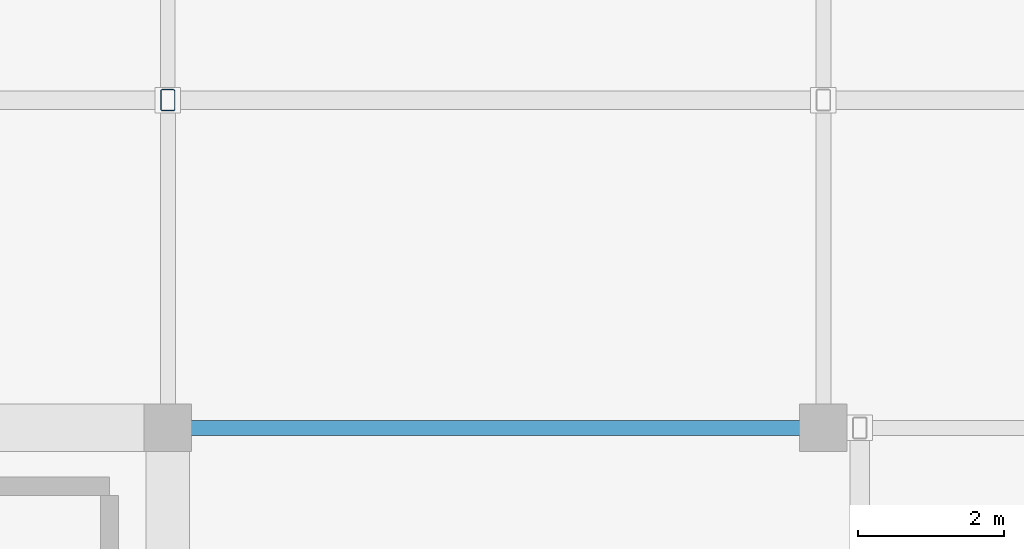
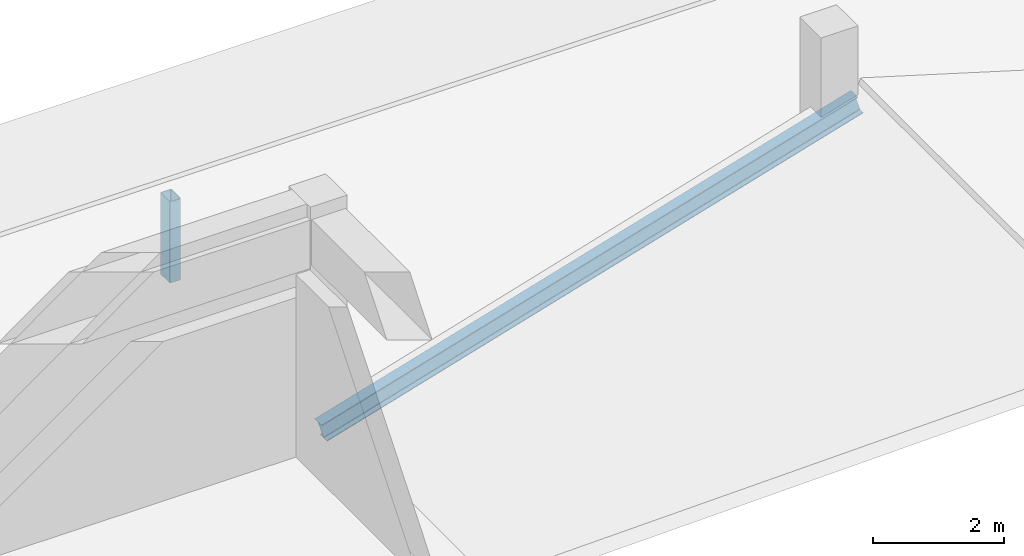
# One storey, part 55 of 80: 2 members.
"""IFC4 building model written with IfcOpenShell, lengths in metres."""

from ifc_helpers import new_model, si_unit, direction, frame, origin, origin_2d, place, context, subcontext, project, spatial, hollow_rectangle, i_section, extrude, material, material_profile, profile_set, type_object, element, save


model = new_model("IFC4")

# Units and contexts
model_context = context("Model", 3, precision=1e-05, world=origin(), true_north=direction((0.0, 1.0)))
body_context = subcontext(model_context, "Body", "Model", "MODEL_VIEW")
ifc_project = project(units=[si_unit("LENGTHUNIT", "METRE"), si_unit("AREAUNIT", "SQUARE_METRE"), si_unit("VOLUMEUNIT", "CUBIC_METRE"), si_unit("PLANEANGLEUNIT", "RADIAN"), si_unit("MASSUNIT", "GRAM", prefix="KILO")], contexts=[model_context])

# Site, building, storey
site_placement = place(None, origin())
site = spatial("IfcSite", under=ifc_project, at=site_placement, CompositionType="ELEMENT")
building_placement = place(site_placement, origin())
building = spatial("IfcBuilding", under=site, at=building_placement, Name="Miravela Opera House", CompositionType="ELEMENT")
storey_placement = place(building_placement, frame((0.0, 0.0, 17.679931640625)))
storey = spatial("IfcBuildingStorey", under=building, at=storey_placement, Name="L04", CompositionType="ELEMENT", Elevation=17.679931640625)

# Members
ifc_material_1 = material(Name="Hollow structural steel ASTM A500 Gr. C", Category="steel")
ifc_material_profile_1 = material_profile(ifc_material_1, hollow_rectangle(XDim=0.199951171875, YDim=0.300048828125, WallThickness=0.011962890625, InnerFilletRadius=0.011962890625, OuterFilletRadius=0.02392578125, at=origin_2d()), Name="HSS300X200X12")
ifc_profile_set_1 = profile_set([ifc_material_profile_1])
member_type_1 = type_object("IfcMemberType", Name="STR-MEM-POST-HSS300X200", PredefinedType="POST", material=ifc_profile_set_1)
member_1_placement = place(storey_placement, frame((135.0, 79.5, -0.25), z_axis=(0.0, 0.0, 1.0), x_axis=(1.0, 0.0, 0.0)))
element("IfcMember", 1, at=member_1_placement, inside=storey, type_object=member_type_1, Name="Roof Ridge Support Post ROOF-V3-EAST-S M2", PredefinedType="POST", context=body_context, shape_type="SweptSolid", body=[
    extrude(hollow_rectangle(XDim=0.199951171875, YDim=0.300048828125, WallThickness=0.011962890625, InnerFilletRadius=0.011962890625, OuterFilletRadius=0.02392578125, at=origin_2d()), origin(), (0.0, 0.0, 1.0), 1.510009765625),
])
ifc_material_2 = material(Name="Structural steel ASTM A992 Gr. 50", Category="steel")
ifc_material_profile_2 = material_profile(ifc_material_2, i_section(OverallWidth=0.2041015625, OverallDepth=0.35009765625, WebThickness=0.008544921875, FlangeThickness=0.01513671875, FilletRadius=0.013916015625, at=origin_2d()), Name="W360X72")
ifc_profile_set_2 = profile_set([ifc_material_profile_2])
member_type_2 = type_object("IfcMemberType", Name="STR-MEM-RAFTER-1", PredefinedType="RAFTER", material=ifc_profile_set_2)
member_2_placement = place(storey_placement, frame((135.050048828125, 75.0, -0.39990234375), z_axis=(0.958519352545, 0.0, 0.285027456217), x_axis=(0.0, 1.0, 0.0)))
element("IfcMember", 2, at=member_2_placement, inside=storey, type_object=member_type_2, Name="Pitched Roof Rafter ROOF-V2-REAR W4", PredefinedType="RAFTER", context=body_context, shape_type="SweptSolid", body=[
    extrude(i_section(OverallWidth=0.2041015625, OverallDepth=0.35009765625, WebThickness=0.008544921875, FlangeThickness=0.01513671875, FilletRadius=0.013916015625, at=origin_2d()), origin(), (0.0, 0.0, 1.0), 9.85888671875),
])

save(model, "model.ifc")
